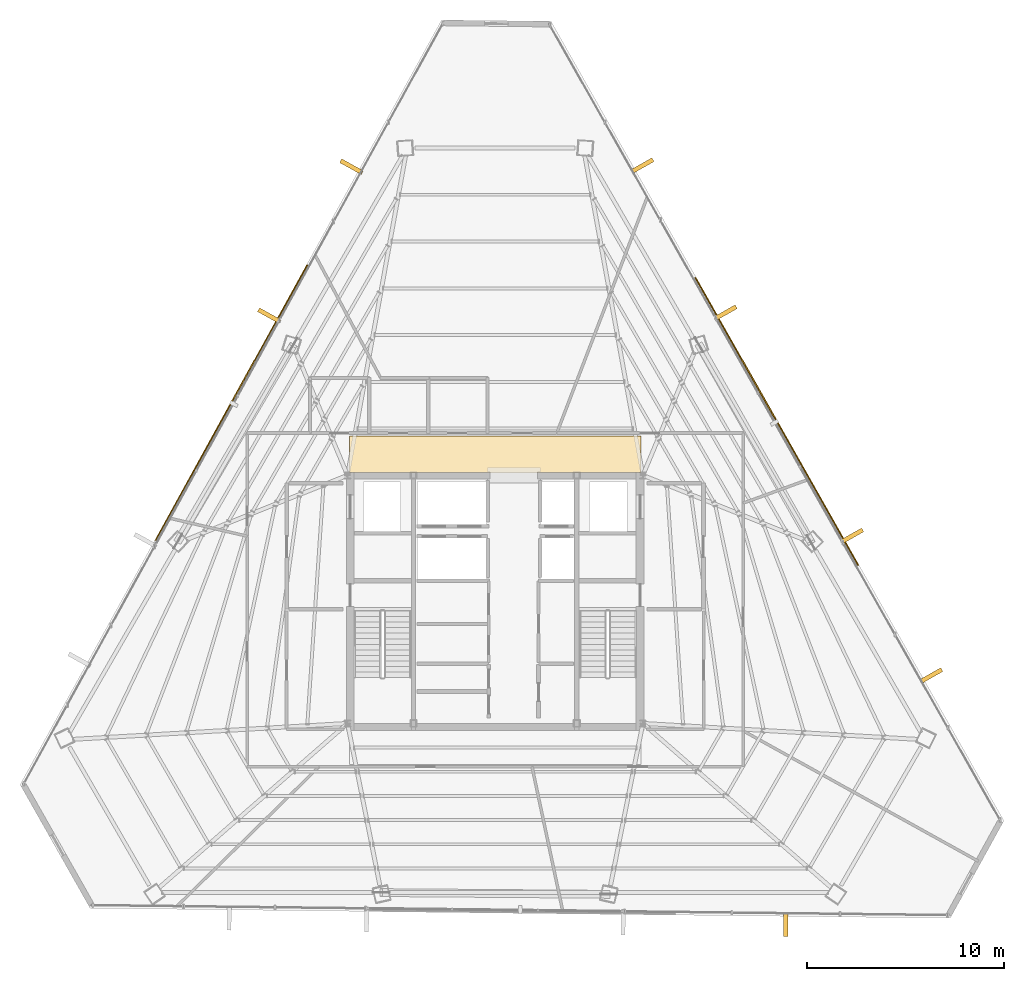
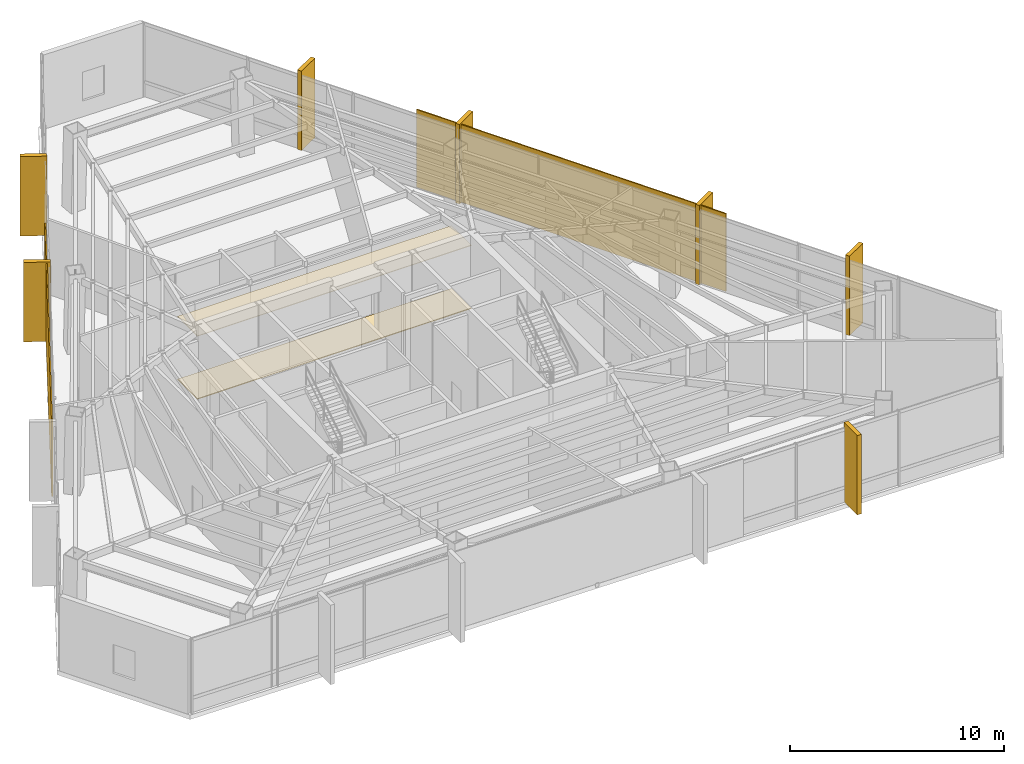
# One storey, part 37 of 37: 9 coverings, 2 shading devices.
"""IFC4 building model written with IfcOpenShell, lengths in metres."""

from ifc_helpers import new_model, si_unit, direction, frame, origin, origin_2d, place, context, subcontext, project, spatial, polyline, rectangle, outline, extrude, source, transform, mapped, material, layer, layer_set, type_object, type_shapes, element, save


model = new_model("IFC4")

# Units and contexts
model_context = context("Model", 3, precision=1e-05, world=origin(), true_north=direction((0.0, 1.0)))
body_context = subcontext(model_context, "Body", "Model", "MODEL_VIEW")
ifc_project = project(units=[si_unit("LENGTHUNIT", "METRE"), si_unit("AREAUNIT", "SQUARE_METRE"), si_unit("VOLUMEUNIT", "CUBIC_METRE"), si_unit("PLANEANGLEUNIT", "RADIAN"), si_unit("MASSUNIT", "GRAM", prefix="KILO")], contexts=[model_context])

# Site, building, storey
site_placement = place(None, origin())
site = spatial("IfcSite", under=ifc_project, at=site_placement, CompositionType="ELEMENT")
building_placement = place(site_placement, origin())
building = spatial("IfcBuilding", under=site, at=building_placement, Name="Caelisora Broadcast Tower", CompositionType="ELEMENT")
storey_placement = place(building_placement, frame((0.0, 0.0, 225.35009765625)))
storey = spatial("IfcBuildingStorey", under=building, at=storey_placement, Name="L59", CompositionType="ELEMENT", Elevation=225.35009765625)

# Coverings
ifc_material_1 = material(Name="Perforated Mineral-Fibre Acoustic Ceiling Tile", Category="gypsum")
ifc_layer_1 = layer(ifc_material_1, 0.034912109375, Name="Perforated Mineral-Fibre Acoustic Ceiling Tile")
ifc_layer_set_1 = layer_set([ifc_layer_1], Name="Perforated Mineral-Fibre Acoustic Ceiling Tile")
covering_type_1 = type_object("IfcCoveringType", Name="CE-1", PredefinedType="CEILING", material=ifc_layer_set_1)
covering_1_placement = place(storey_placement, frame((0.0, 0.0, 3.599853515625)))
element("IfcCovering", 1, at=covering_1_placement, inside=storey, type_object=covering_type_1, Name="L59 acoustic corridor ceiling CE-1 (N)", PredefinedType="CEILING", context=body_context, shape_type="SweptSolid", body=[
    extrude(outline(polyline([(30.60009765625, 30.14990234375), (45.39990234375, 30.14990234375), (45.39990234375, 32.0), (30.60009765625, 32.0), (30.60009765625, 30.14990234375)])), origin(), (0.0, 0.0, 1.0), 0.03515625),
])
ifc_material_2 = material(Name="Anti-Static Broadcast Raised Access Floor Panel", Category="steel")
ifc_layer_2 = layer(ifc_material_2, 0.044921875, Name="Anti-Static Broadcast Raised Access Floor Panel")
ifc_layer_set_2 = layer_set([ifc_layer_2], Name="Anti-Static Broadcast Raised Access Floor Panel")
covering_type_2 = type_object("IfcCoveringType", Name="FL-1", PredefinedType="FLOORING", material=ifc_layer_set_2)
covering_2_placement = place(storey_placement, origin())
element("IfcCovering", 2, at=covering_2_placement, inside=storey, type_object=covering_type_2, Name="L59 broadcast raised access floor FL-1 (N)", PredefinedType="FLOORING", context=body_context, shape_type="SweptSolid", body=[
    extrude(outline(polyline([(30.60009765625, 30.14990234375), (45.39990234375, 30.14990234375), (45.39990234375, 32.0), (30.60009765625, 32.0), (30.60009765625, 30.14990234375)])), origin(), (0.0, 0.0, 1.0), 0.044921875),
])
ifc_material_3 = material(Name="Kiln-Fired Terracotta Spandrel Rainscreen Cladding", Category="ceramic")
ifc_layer_3 = layer(ifc_material_3, 0.044921875, Name="Kiln-Fired Terracotta Spandrel Rainscreen Cladding")
ifc_layer_set_3 = layer_set([ifc_layer_3], Name="Kiln-Fired Terracotta Spandrel Rainscreen Cladding")
covering_type_3 = type_object("IfcCoveringType", Name="CL-1", PredefinedType="CLADDING", material=ifc_layer_set_3)
shared_shape_1 = source(origin(), body_context, "Body", "SweptSolid", [
    extrude(rectangle(XDim=0.219970703125, YDim=1.25, at=origin_2d()), origin(), (0.0, 0.0, 1.0), 4.5400390625),
])
type_shapes(covering_type_3, [shared_shape_1])
for number, where, z_axis, x_axis, name in (
    (3, (45.468994140625, 45.725830078125, -0.02001953125), (0.0, 0.0, 1.0), (0.492879209759, -0.870097744272, 0.0), "L59 vertical solar fin cladding #1-1"),
    (4, (49.698486328125, 38.258544921875, -0.02001953125), (0.0, 0.0, 1.0), (0.492879209759, -0.870097744272, 0.0), "L59 vertical solar fin cladding #1-2"),
    (5, (56.12060546875, 26.9208984375, -0.02001953125), (0.0, 0.0, 1.0), (0.492879209759, -0.870097744272, 0.0), "L59 vertical solar fin cladding #1-3"),
    (6, (60.140380859375, 19.823974609375, -0.02001953125), (0.0, 0.0, 1.0), (0.492879209759, -0.870097744272, 0.0), "L59 vertical solar fin cladding #1-4"),
    (7, (52.760498046875, 7.19091796875, -0.02001953125), (0.0, 0.0, 1.0), (-0.99993365506, 0.011518918316, 0.0), "L59 vertical solar fin cladding #2-1"),
    (8, (26.524169921875, 38.10986328125, -0.02001953125), (0.0, 0.0, 1.0), (0.482671075992, 0.875801708379, 0.0), "L59 vertical solar fin cladding #3-3"),
    (9, (30.697021484375, 45.6796875, -0.02001953125), (0.0, 0.0, 1.0), (0.482671075992, 0.875801708379, 0.0), "L59 vertical solar fin cladding #3-4"),
):
    element("IfcCovering", number, at=place(storey_placement, frame(where, z_axis=z_axis, x_axis=x_axis)), inside=storey, type_object=covering_type_3, Name=name, PredefinedType="CLADDING", context=body_context, shape_type="MappedRepresentation", body=[
        mapped(shared_shape_1, transform((0.0, 0.0, 0.0), scale=1.0)),
    ])

# Shading devices
ifc_material_4 = material(Name="Perforated Glazed Terracotta Baguette Solar Screen", Category="ceramic")
ifc_layer_4 = layer(ifc_material_4, 0.06494140625, Name="Perforated Glazed Terracotta Baguette Solar Screen")
ifc_layer_set_4 = layer_set([ifc_layer_4], Name="Perforated Glazed Terracotta Baguette Solar Screen")
shading_device_type = type_object("IfcShadingDeviceType", Name="SS-1", PredefinedType="USERDEFINED", material=ifc_layer_set_4)
shared_shape_2 = source(origin(), body_context, "Body", "SweptSolid", [
    extrude(rectangle(XDim=15.966064453125, YDim=0.06494140625, at=origin_2d()), origin(), (0.0, 0.0, 1.0), 4.43994140625),
])
shading_device_1_placement = place(storey_placement, frame((24.60205078125, 33.690673828125, 0.0), z_axis=(0.0, 0.0, 1.0), x_axis=(-0.482823924874, -0.875717453046, 0.0)))
element("IfcShadingDevice", 10, at=shading_device_1_placement, inside=storey, type_object=shading_device_type, Name="L59 perforated terracotta solar screen #1", ObjectType="SOLAR SCREEN", PredefinedType="USERDEFINED", context=body_context, shape_type="MappedRepresentation", body=[
    mapped(shared_shape_2, transform((0.0, 0.0, 0.0), scale=1.0)),
])
shared_shape_3 = source(origin(), body_context, "Body", "SweptSolid", [
    extrude(rectangle(XDim=16.803955078125, YDim=0.06494140625, at=origin_2d()), origin(), (0.0, 0.0, 1.0), 4.43994140625),
])
type_shapes(shading_device_type, [shared_shape_2, shared_shape_3])
shading_device_2_placement = place(storey_placement, frame((52.3076171875, 32.7392578125, 0.0), z_axis=(0.0, 0.0, 1.0), x_axis=(-0.492879209759, 0.870097744272, 0.0)))
element("IfcShadingDevice", 11, at=shading_device_2_placement, inside=storey, type_object=shading_device_type, Name="L59 perforated terracotta solar screen #3", ObjectType="SOLAR SCREEN", PredefinedType="USERDEFINED", context=body_context, shape_type="MappedRepresentation", body=[
    mapped(shared_shape_3, transform((0.0, 0.0, 0.0), scale=1.0)),
])

save(model, "model.ifc")
